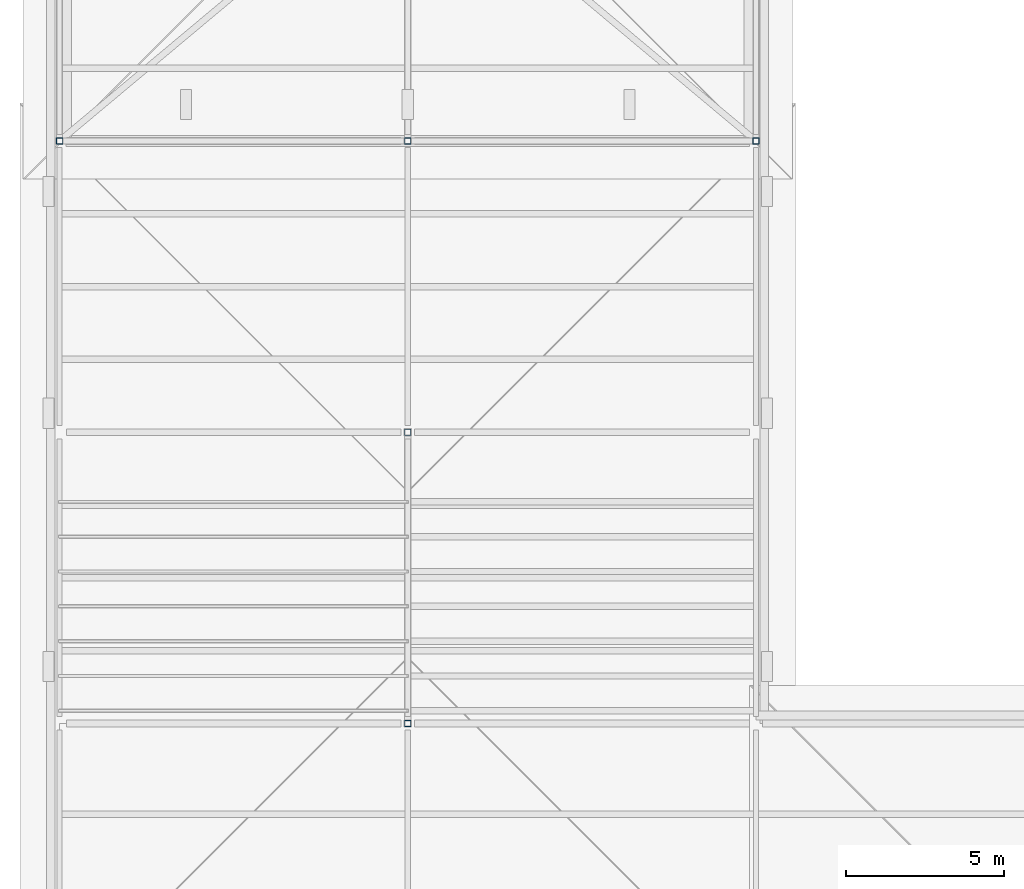
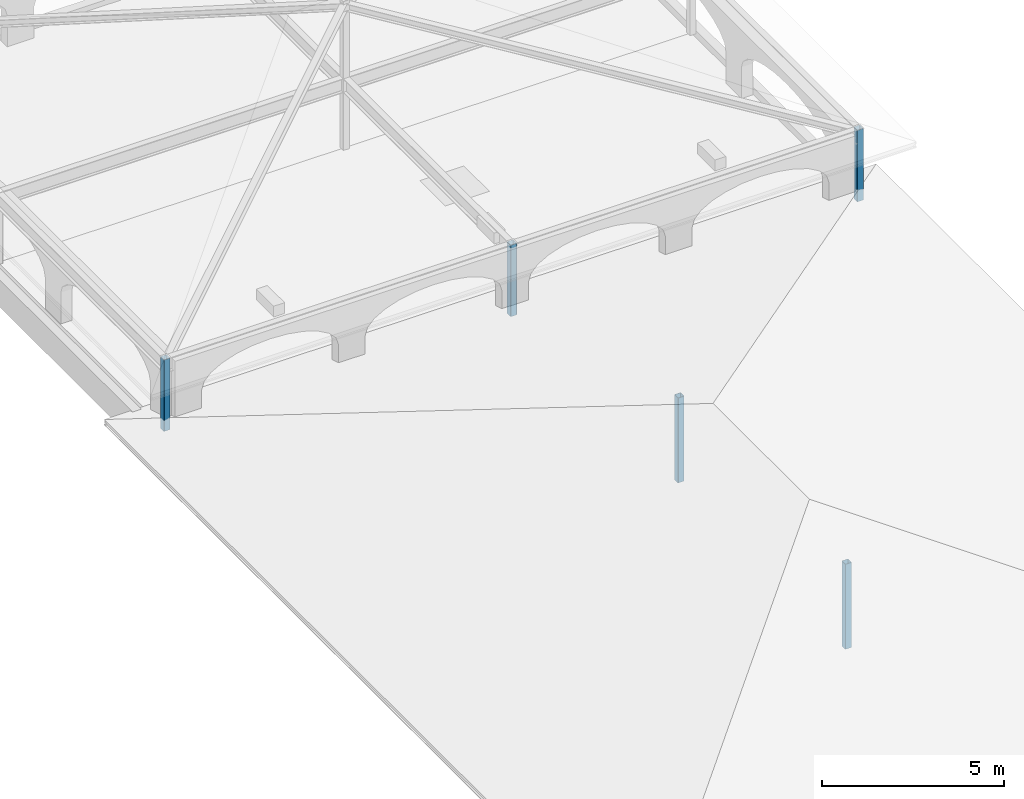
# One storey, part 1 of 5: 5 columns.
"""IFC4 building model written with IfcOpenShell, lengths in metres."""

from ifc_helpers import new_model, si_unit, direction, frame, origin, origin_2d, place, context, subcontext, project, spatial, hollow_rectangle, extrude, material, material_profile, profile_set, type_object, element, save


model = new_model("IFC4")

# Units and contexts
model_context = context("Model", 3, precision=1e-05, world=origin(), true_north=direction((0.0, 1.0)))
body_context = subcontext(model_context, "Body", "Model", "MODEL_VIEW")
ifc_project = project(units=[si_unit("LENGTHUNIT", "METRE"), si_unit("AREAUNIT", "SQUARE_METRE"), si_unit("VOLUMEUNIT", "CUBIC_METRE"), si_unit("PLANEANGLEUNIT", "RADIAN"), si_unit("MASSUNIT", "GRAM", prefix="KILO")], contexts=[model_context])

# Site, building, storey
site_placement = place(None, origin())
site = spatial("IfcSite", under=ifc_project, at=site_placement, CompositionType="ELEMENT")
building_placement = place(site_placement, origin())
building = spatial("IfcBuilding", under=site, at=building_placement, Name="Caurita Quay Ferry Terminal", CompositionType="ELEMENT")
storey_placement = place(building_placement, frame((0.0, 0.0, 22.5)))
storey = spatial("IfcBuildingStorey", under=building, at=storey_placement, Name="RF", CompositionType="ELEMENT", Elevation=22.5)

# Columns
ifc_material = material(Name="Hollow structural steel ASTM A500 Gr. C", Category="steel")
ifc_material_profile = material_profile(ifc_material, hollow_rectangle(XDim=0.203125, YDim=0.203125, WallThickness=0.0087890625, InnerFilletRadius=0.0087890625, OuterFilletRadius=0.017822265625, at=origin_2d()), Name="HSS8X8X3/8")
ifc_profile_set = profile_set([ifc_material_profile], Name="Hollow structural steel ASTM A500 Gr. C")
column_type = type_object("IfcColumnType", Name="COL-HSS-04", PredefinedType="COLUMN", material=ifc_profile_set)
for number, where, z_axis, x_axis, name in (
    (1, (11.0, 80.199951171875, 0.0), (0.0, 0.0, 1.0), (1.0, 0.0, 0.0), "Roof Ridge Post M"),
    (2, (11.0, 89.39990234375, 0.0), (0.0, 0.0, 1.0), (1.0, 0.0, 0.0), "Roof Ridge Post N"),
):
    element("IfcColumn", number, at=place(storey_placement, frame(where, z_axis=z_axis, x_axis=x_axis)), inside=storey, type_object=column_type, Name=name, PredefinedType="COLUMN", context=body_context, shape_type="SweptSolid", body=[
        extrude(hollow_rectangle(XDim=0.203125, YDim=0.203125, WallThickness=0.0087890625, InnerFilletRadius=0.0087890625, OuterFilletRadius=0.017822265625, at=origin_2d()), origin(), (0.0, 0.0, 1.0), 2.85009765625),
    ])
for number, where, z_axis, x_axis, name in (
    (3, (0.0, 98.60009765625, 0.0), (0.0, 0.0, 1.0), (1.0, 0.0, 0.0), "Mirador Belvedere Column SW"),
    (4, (11.0, 98.60009765625, 0.0), (0.0, 0.0, 1.0), (1.0, 0.0, 0.0), "Mirador Belvedere Column S"),
    (5, (22.0, 98.60009765625, 0.0), (0.0, 0.0, 1.0), (1.0, 0.0, 0.0), "Mirador Belvedere Column SE"),
):
    element("IfcColumn", number, at=place(storey_placement, frame(where, z_axis=z_axis, x_axis=x_axis)), inside=storey, type_object=column_type, Name=name, PredefinedType="COLUMN", context=body_context, shape_type="SweptSolid", body=[
        extrude(hollow_rectangle(XDim=0.203125, YDim=0.203125, WallThickness=0.0087890625, InnerFilletRadius=0.0087890625, OuterFilletRadius=0.017822265625, at=origin_2d()), origin(), (0.0, 0.0, 1.0), 2.39990234375),
    ])

save(model, "model.ifc")
